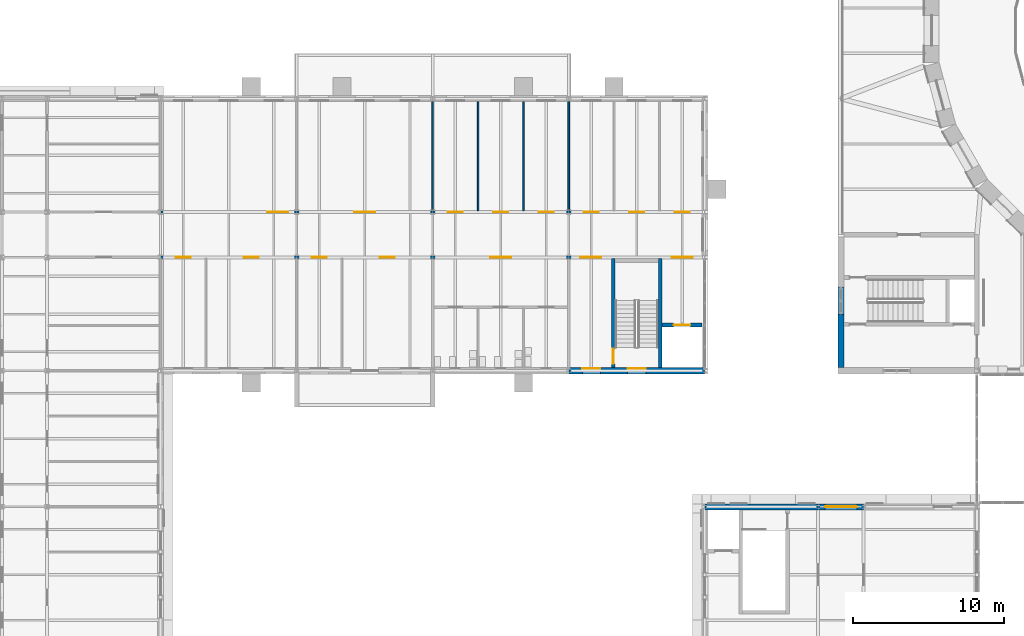
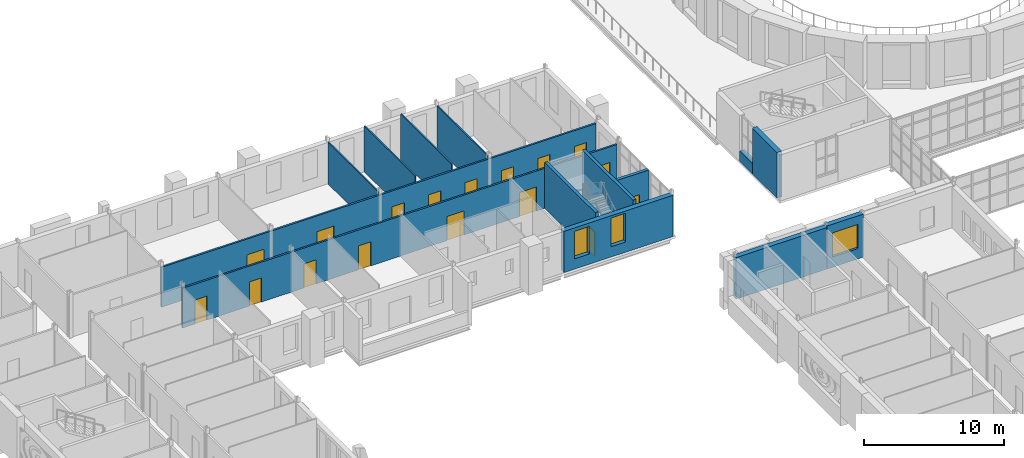
# One storey, part 112 of 154: 17 doors, 14 walls, 3 windows, 20 openings.
"""IFC4 building model written with IfcOpenShell, lengths in metres."""

import ifcopenshell
import ifcopenshell.guid

model = None  # the IFC model being written
_history = None  # IfcOwnerHistory: only IFC2X3 demands one
_inside = {}  # id of a spatial element -> (the spatial element, [elements in it])
_under = {}  # id of a project, library or spatial element -> (it, [spatial elements below it])
_declared = {}  # id of a project -> (the project, [libraries it declares])
_typed = {}  # id of a type object -> (the type object, [elements of that type])
_made_of = {}  # id of a material, layer set ... -> (it, [elements and type objects made of it])


def new_model(schema):
    """Start an empty IFC model of exactly this schema.

    Asked for "IFC4X3", IfcOpenShell would pick the latest addendum, in which some entities
    have other attributes; the version numbers below select the first issue.
    IFC2X3 requires an IfcOwnerHistory on every rooted entity: one is made here for all.
    """
    global model, _history
    if schema == "IFC4X3":
        model = ifcopenshell.file(schema_version=(4, 3, 0, 0))
    else:
        model = ifcopenshell.file(schema=schema)
    _inside.clear()
    _under.clear()
    _declared.clear()
    _typed.clear()
    _made_of.clear()
    _history = None
    if model.schema == "IFC2X3":
        org = make("IfcOrganization", Name="unknown")
        user = make(
            "IfcPersonAndOrganization",
            ThePerson=make("IfcPerson", FamilyName="unknown"),
            TheOrganization=org,
        )
        app = make(
            "IfcApplication",
            ApplicationDeveloper=org,
            Version="unknown",
            ApplicationFullName="unknown",
            ApplicationIdentifier="unknown",
        )
        _history = make(
            "IfcOwnerHistory",
            OwningUser=user,
            OwningApplication=app,
            ChangeAction="ADDED",
            CreationDate=0,
        )
    return model


def make(cls, **values):
    """One entity of the class cls with the attributes given. An attribute that is None is left unset."""
    return model.create_entity(
        cls, **{name: value for name, value in values.items() if value is not None}
    )


def rooted(cls, **values):
    """An entity with a GlobalId (a new one), such as an element, a storey or a relation."""
    return make(cls, GlobalId=ifcopenshell.guid.new(), OwnerHistory=_history, **values)


def si_unit(unit_type, name, prefix=None):
    """IfcSIUnit, for example si_unit("LENGTHUNIT", "METRE", prefix="MILLI")."""
    return make("IfcSIUnit", UnitType=unit_type, Prefix=prefix, Name=name)


def assignment(units):
    """IfcUnitAssignment: the units of a project."""
    return None if units is None else make("IfcUnitAssignment", Units=units)


def point(xyz):
    """IfcCartesianPoint."""
    return None if xyz is None else make("IfcCartesianPoint", Coordinates=xyz)


def direction(xyz):
    """IfcDirection."""
    return None if xyz is None else make("IfcDirection", DirectionRatios=xyz)


def frame(location, z_axis=None, x_axis=None):
    """IfcAxis2Placement3D, a coordinate frame: its origin and axes. An axis left out is left unset."""
    return make(
        "IfcAxis2Placement3D",
        Location=point(location),
        Axis=direction(z_axis),
        RefDirection=direction(x_axis),
    )


def frame_2d(location, x_axis=None):
    """IfcAxis2Placement2D, a coordinate frame in the plane: its origin and x axis."""
    return make(
        "IfcAxis2Placement2D", Location=point(location), RefDirection=direction(x_axis)
    )


def origin():
    """The frame at (0, 0, 0) with its axes left unset."""
    return frame((0.0, 0.0, 0.0))


def place(relative_to, where):
    """IfcLocalPlacement: puts the frame where relative to a parent placement (None: the world)."""
    return make(
        "IfcLocalPlacement", PlacementRelTo=relative_to, RelativePlacement=where
    )


def context(
    kind, dimensions, precision=None, world=None, true_north=None, identifier=None
):
    """IfcGeometricRepresentationContext, for example the 3D "Model" context."""
    return make(
        "IfcGeometricRepresentationContext",
        ContextIdentifier=identifier,
        ContextType=kind,
        CoordinateSpaceDimension=dimensions,
        Precision=precision,
        WorldCoordinateSystem=world,
        TrueNorth=true_north,
    )


def subcontext(parent, identifier, kind, view, scale=None):
    """IfcGeometricRepresentationSubContext, for example "Body" below "Model"."""
    return make(
        "IfcGeometricRepresentationSubContext",
        ContextIdentifier=identifier,
        ContextType=kind,
        ParentContext=parent,
        TargetScale=scale,
        TargetView=view,
    )


def project(units=None, contexts=None):
    """IfcProject with its units and contexts."""
    return rooted(
        "IfcProject",
        Name="project",
        RepresentationContexts=contexts,
        UnitsInContext=assignment(units),
    )


def spatial(cls, under=None, at=None, **own):
    """A site, building, storey or space (cls), placed at a placement, below another one or the project."""
    s = rooted(cls, ObjectPlacement=at, **own)
    if under is not None:
        _under.setdefault(under.id(), (under, []))[1].append(s)
    return s


def profile(cls, at=None, kind="AREA", **sizes):
    """A parametric profile (cls). Its sizes go by their IFC names, for example OverallWidth=200.0."""
    return make(cls, ProfileType=kind, Position=at, **sizes)


def rectangle(**sizes):
    """IfcRectangleProfileDef."""
    return profile("IfcRectangleProfileDef", **sizes)


def extrude(swept, where, along, depth):
    """IfcExtrudedAreaSolid: the profile swept, set in the frame where, extruded along a direction by depth."""
    return make(
        "IfcExtrudedAreaSolid",
        SweptArea=swept,
        Position=where,
        ExtrudedDirection=direction(along),
        Depth=depth,
    )


def shape(context_of_items, identifier, shape_type, items):
    """IfcShapeRepresentation: the items that make up one representation, for example the "Body"."""
    return make(
        "IfcShapeRepresentation",
        ContextOfItems=context_of_items,
        RepresentationIdentifier=identifier,
        RepresentationType=shape_type,
        Items=items,
    )


def material(Name=None, Category=None):
    """IfcMaterial."""
    return make("IfcMaterial", Name=Name, Category=Category)


def layer(
    of_material, thickness, ventilated=None, Name=None, Category=None, Priority=None
):
    """IfcMaterialLayer: one layer of a wall or slab, of a material (None: an air gap)."""
    return make(
        "IfcMaterialLayer",
        Material=of_material,
        LayerThickness=thickness,
        IsVentilated=ventilated,
        Name=Name,
        Category=Category,
        Priority=Priority,
    )


def layer_set(layers, Name=None):
    """IfcMaterialLayerSet."""
    return make("IfcMaterialLayerSet", MaterialLayers=layers, LayerSetName=Name)


def made_of(thing, what):
    """Note that an element or type object is made of a material, layer set ...; save() writes the relation."""
    if what is not None:
        _made_of.setdefault(what.id(), (what, []))[1].append(thing)
    return thing


def type_object(cls, material=None, **own):
    """A type object (cls), such as IfcWallType, which elements share."""
    return made_of(rooted(cls, **own), material)


def element(
    cls,
    number,
    at=None,
    inside=None,
    cuts=None,
    type_object=None,
    material=None,
    context=None,
    identifier="Body",
    shape_type=None,
    held_by="IfcProductDefinitionShape",
    body=None,
    shapes=None,
    **own,
):
    """One element of the class cls, such as IfcWall. Its Tag is "e" and its number.

    at: its placement. inside: the storey or other place that contains it. cuts: it is an
    opening in that element (IfcRelVoidsElement). A single representation is given by context,
    identifier, shape_type and body (its items); several are given by shapes. held_by: the class
    of the entity that holds the representations. save() writes the other relations.
    """
    e = rooted(cls, Tag="e%d" % number, ObjectPlacement=at, **own)
    if body is not None:
        shapes = [shape(context, identifier, shape_type, body)]
    if shapes is not None:
        e.Representation = make(held_by, Representations=shapes)
    if inside is not None:
        _inside.setdefault(inside.id(), (inside, []))[1].append(e)
    if cuts is not None:
        rooted(
            "IfcRelVoidsElement", RelatingBuildingElement=cuts, RelatedOpeningElement=e
        )
    if type_object is not None:
        _typed.setdefault(type_object.id(), (type_object, []))[1].append(e)
    return made_of(e, material)


def fill(opening, filler):
    """IfcRelFillsElement: the door or window that sits in an opening."""
    return rooted(
        "IfcRelFillsElement",
        RelatingOpeningElement=opening,
        RelatedBuildingElement=filler,
    )


def aggregate(whole, parts):
    """IfcRelAggregates: a whole, such as a stair, and the parts it consists of."""
    return rooted("IfcRelAggregates", RelatingObject=whole, RelatedObjects=parts)


def save(model, path):
    """Write the relations noted so far, then the file.

    IfcRelAggregates (storeys below a building ...), IfcRelContainedInSpatialStructure (elements
    in a storey), IfcRelDefinesByType, IfcRelAssociatesMaterial and IfcRelDeclares: one each for
    every whole, place, type object, material and project.
    """
    for whole, parts in _under.values():
        aggregate(whole, parts)
    for where, things in _inside.values():
        rooted(
            "IfcRelContainedInSpatialStructure",
            RelatedElements=things,
            RelatingStructure=where,
        )
    for kind, things in _typed.values():
        rooted("IfcRelDefinesByType", RelatedObjects=things, RelatingType=kind)
    for what, things in _made_of.values():
        rooted("IfcRelAssociatesMaterial", RelatedObjects=things, RelatingMaterial=what)
    for by, libraries in _declared.values():
        rooted("IfcRelDeclares", RelatingContext=by, RelatedDefinitions=libraries)
    model.write(path)


model = new_model("IFC4")

# Units and contexts
model_context = context("Model", 3, precision=1e-05, world=origin(), true_north=direction((0.0, 1.0)))
body_context = subcontext(model_context, "Body", "Model", "MODEL_VIEW")
ifc_project = project(units=[si_unit("LENGTHUNIT", "METRE"), si_unit("AREAUNIT", "SQUARE_METRE"), si_unit("VOLUMEUNIT", "CUBIC_METRE"), si_unit("PLANEANGLEUNIT", "RADIAN"), si_unit("MASSUNIT", "GRAM", prefix="KILO")], contexts=[model_context])

# Site, building, storey
site_placement = place(None, origin())
site = spatial("IfcSite", under=ifc_project, at=site_placement, CompositionType="ELEMENT")
building_placement = place(site_placement, origin())
building = spatial("IfcBuilding", under=site, at=building_placement, Name="Golden Quay Civic Hall", CompositionType="ELEMENT")
storey_placement = place(building_placement, frame((0.0, 0.0, 14.39990234375)))
storey = spatial("IfcBuildingStorey", under=building, at=storey_placement, Name="L03", CompositionType="ELEMENT", Elevation=14.39990234375)

# Wall, openings, windows
ifc_material_1 = material(Name="Brick, dark clay facing", Category="masonry")
ifc_layer_1 = layer(ifc_material_1, 0.39990234375)
ifc_layer_set_1 = layer_set([ifc_layer_1], Name="Brick external wall 400 fire EI 60")
wall_type_1 = type_object("IfcWallType", Name="Brick external wall 400 fire EI 60", PredefinedType="STANDARD", material=ifc_layer_set_1)
wall_1_placement = place(storey_placement, frame((53.9912109375, 63.0, 0.0), z_axis=(0.0, 0.0, 1.0), x_axis=(-1.0, 0.0, 0.0)))
wall_1 = element("IfcWall", 1, at=wall_1_placement, inside=storey, type_object=wall_type_1, Name="Brick external wall 400 fire EI 60 L03 1", PredefinedType="STANDARD", context=body_context, shape_type="SweptSolid", body=[
    extrude(rectangle(XDim=8.982421875, YDim=0.39990234375, at=frame_2d((4.4912109375, 0.0))), origin(), (0.0, 0.0, 1.0), 3.60009765625),
])
opening_1_placement = place(wall_1_placement, frame((6.891357421875, 0.0, 0.89990234375)))
opening_1 = element("IfcOpeningElement", 2, at=opening_1_placement, cuts=wall_1, Name="Opening WN7", PredefinedType="OPENING", context=body_context, shape_type="SweptSolid", body=[
    extrude(rectangle(XDim=1.199951171875, YDim=2.39990234375, at=frame_2d((0.60009765625, 1.199951171875))), frame((0.0, 0.2099609375, 0.0), z_axis=(0.0, -1.0, 0.0), x_axis=(1.0, 0.0, 0.0)), (0.0, 0.0, 1.0), 0.419921875),
])
opening_2_placement = place(wall_1_placement, frame((3.891357421875, 0.0, 0.89990234375)))
opening_2 = element("IfcOpeningElement", 3, at=opening_2_placement, cuts=wall_1, Name="Opening WN14", PredefinedType="OPENING", context=body_context, shape_type="SweptSolid", body=[
    extrude(rectangle(XDim=1.199951171875, YDim=2.5, at=frame_2d((0.60009765625, 1.25))), frame((0.0, 0.2099609375, 0.0), z_axis=(0.0, -1.0, 0.0), x_axis=(1.0, 0.0, 0.0)), (0.0, 0.0, 1.0), 0.419921875),
])
ifc_material_2 = material(Name="Aluminium frame, double glazed", Category="aluminium")
window_type_1 = type_object("IfcWindowType", Name="Stair light window 1200 x 2500", PartitioningType="SINGLE_PANEL", PredefinedType="WINDOW", material=ifc_material_2)
window_1_placement = place(opening_2_placement, origin())
window_1 = element("IfcWindow", 4, at=window_1_placement, inside=storey, type_object=window_type_1, Name="Stair light window 1200 x 2500 L03 1", OverallHeight=2.5, OverallWidth=1.199951171875, PartitioningType="SINGLE_PANEL", PredefinedType="WINDOW", context=body_context, shape_type="SweptSolid", body=[
    extrude(rectangle(XDim=1.199951171875, YDim=2.5, at=frame_2d((0.60009765625, 1.25))), frame((0.0, -0.119873046875, 0.0), z_axis=(0.0, -1.0, 0.0), x_axis=(1.0, 0.0, 0.0)), (0.0, 0.0, 1.0), 0.06005859375),
])
fill(opening_2, window_1)
ifc_material_3 = material(Name="Aluminium frame, double glazed", Category="aluminium")
window_type_2 = type_object("IfcWindowType", Name="Window 1200 x 2400", PartitioningType="SINGLE_PANEL", PredefinedType="WINDOW", material=ifc_material_3)
window_2_placement = place(opening_1_placement, origin())
window_2 = element("IfcWindow", 5, at=window_2_placement, inside=storey, type_object=window_type_2, Name="Window 1200 x 2400 L03 23", OverallHeight=2.39990234375, OverallWidth=1.199951171875, PartitioningType="SINGLE_PANEL", PredefinedType="WINDOW", context=body_context, shape_type="SweptSolid", body=[
    extrude(rectangle(XDim=1.199951171875, YDim=2.39990234375, at=frame_2d((0.60009765625, 1.199951171875))), frame((0.0, -0.119873046875, 0.0), z_axis=(0.0, -1.0, 0.0), x_axis=(1.0, 0.0, 0.0)), (0.0, 0.0, 1.0), 0.06005859375),
])
fill(opening_1, window_2)

# Wall, opening, door
ifc_material_4 = material(Name="Concrete C40/50", Category="concrete")
ifc_layer_2 = layer(ifc_material_4, 0.25)
ifc_layer_set_2 = layer_set([ifc_layer_2], Name="Concrete core wall 250, Concrete C40/50")
wall_type_2 = type_object("IfcWallType", Name="Concrete core wall 250", PredefinedType="SHEAR", material=ifc_layer_set_2)
wall_2_placement = place(storey_placement, frame((47.949951171875, 63.199951171875, 0.0), z_axis=(0.0, 0.0, 1.0), x_axis=(0.0, 1.0, 0.0)))
wall_2 = element("IfcWall", 6, at=wall_2_placement, inside=storey, type_object=wall_type_2, Name="Core wall NW-E-W1", PredefinedType="SHEAR", context=body_context, shape_type="SweptSolid", body=[
    extrude(rectangle(XDim=7.22509765625, YDim=0.25, at=frame_2d((3.612548828125, 0.0))), origin(), (0.0, 0.0, 1.0), 4.0),
])
opening_3_placement = place(wall_2_placement, frame((0.25, 0.0, 0.0)))
opening_3 = element("IfcOpeningElement", 7, at=opening_3_placement, cuts=wall_2, Name="Opening L03-D071", PredefinedType="OPENING", context=body_context, shape_type="SweptSolid", body=[
    extrude(rectangle(XDim=1.0, YDim=2.10009765625, at=frame_2d((0.5, 1.050048828125))), frame((0.0, 0.135009765625, 0.0), z_axis=(0.0, -1.0, 0.0), x_axis=(1.0, 0.0, 0.0)), (0.0, 0.0, 1.0), 0.27001953125),
])
ifc_material_5 = material(Name="Steel", Category="steel")
door_type_1 = type_object("IfcDoorType", Name="Steel fire door FD60 1000 x 2100", OperationType="SINGLE_SWING_LEFT", PredefinedType="DOOR", material=ifc_material_5)
door_1_placement = place(opening_3_placement, frame((1.0, 0.0, 0.0), z_axis=(0.0, 0.0, 1.0), x_axis=(-1.0, 0.0, 0.0)))
door_1 = element("IfcDoor", 8, at=door_1_placement, inside=storey, type_object=door_type_1, Name="Door L03-D071", OperationType="SINGLE_SWING_RIGHT", OverallHeight=2.10009765625, OverallWidth=1.0, PredefinedType="DOOR", context=body_context, shape_type="SweptSolid", body=[
    extrude(rectangle(XDim=1.0, YDim=2.10009765625, at=frame_2d((0.5, 1.050048828125))), frame((0.0, 0.025146484375, 0.0), z_axis=(0.0, -1.0, 0.0), x_axis=(1.0, 0.0, 0.0)), (0.0, 0.0, 1.0), 0.050048828125),
])
fill(opening_3, door_1)

# Wall
wall_3_placement = place(storey_placement, frame((51.050048828125, 63.199951171875, 0.0), z_axis=(0.0, 0.0, 1.0), x_axis=(0.0, 1.0, 0.0)))
element("IfcWall", 9, at=wall_3_placement, inside=storey, type_object=wall_type_2, Name="Core wall NW-E-W2", PredefinedType="SHEAR", context=body_context, shape_type="SweptSolid", body=[
    extrude(rectangle(XDim=7.22509765625, YDim=0.25, at=frame_2d((3.612548828125, 0.0))), origin(), (0.0, 0.0, 1.0), 4.0),
])

# Wall, opening, door
wall_4_placement = place(storey_placement, frame((51.175048828125, 66.02490234375, 0.0), z_axis=(0.0, 0.0, 1.0), x_axis=(1.0, 0.0, 0.0)))
wall_4 = element("IfcWall", 10, at=wall_4_placement, inside=storey, type_object=wall_type_2, Name="Core wall NW-E-W4", PredefinedType="SHEAR", context=body_context, shape_type="SweptSolid", body=[
    extrude(rectangle(XDim=2.625, YDim=0.25, at=frame_2d((1.3125, 0.0))), origin(), (0.0, 0.0, 1.0), 4.0),
])
opening_4_placement = place(wall_4_placement, frame((0.762451171875, 0.0, 0.0)))
opening_4 = element("IfcOpeningElement", 11, at=opening_4_placement, cuts=wall_4, Name="Opening L03-D074", PredefinedType="OPENING", context=body_context, shape_type="SweptSolid", body=[
    extrude(rectangle(XDim=1.10009765625, YDim=2.10009765625, at=frame_2d((0.550048828125, 1.050048828125))), frame((0.0, 0.135009765625, 0.0), z_axis=(0.0, -1.0, 0.0), x_axis=(1.0, 0.0, 0.0)), (0.0, 0.0, 1.0), 0.27001953125),
])
ifc_material_6 = material(Name="Steel", Category="steel")
door_type_2 = type_object("IfcDoorType", Name="Lift landing door 1100 x 2100", OperationType="SLIDING_TO_LEFT", PredefinedType="DOOR", material=ifc_material_6)
door_2_placement = place(opening_4_placement, origin())
door_2 = element("IfcDoor", 12, at=door_2_placement, inside=storey, type_object=door_type_2, Name="Lift landing door L03-D074 NW-E", OperationType="SLIDING_TO_LEFT", OverallHeight=2.10009765625, OverallWidth=1.10009765625, PredefinedType="DOOR", context=body_context, shape_type="SweptSolid", body=[
    extrude(rectangle(XDim=1.10009765625, YDim=2.10009765625, at=frame_2d((0.550048828125, 1.050048828125))), frame((0.0, 0.02490234375, 0.0), z_axis=(0.0, -1.0, 0.0), x_axis=(1.0, 0.0, 0.0)), (0.0, 0.0, 1.0), 0.050048828125),
])
fill(opening_4, door_2)

# Walls
ifc_material_7 = material(Name="Plasterboard on steel studs", Category="steel")
ifc_layer_3 = layer(ifc_material_7, 0.10009765625)
ifc_layer_set_3 = layer_set([ifc_layer_3], Name="Partition 100 stud")
wall_type_3 = type_object("IfcWallType", Name="Partition 100 stud", PredefinedType="PARTITIONING", material=ifc_layer_set_3)
wall_5_placement = place(storey_placement, frame((36.0, 73.574951171875, 0.0), z_axis=(0.0, 0.0, 1.0), x_axis=(0.0, 1.0, 0.0)))
element("IfcWall", 13, at=wall_5_placement, inside=storey, type_object=wall_type_3, Name="Partition L03-005", PredefinedType="PARTITIONING", context=body_context, shape_type="SweptSolid", body=[
    extrude(rectangle(XDim=7.22509765625, YDim=0.10009765625, at=frame_2d((3.612548828125, 0.0))), origin(), (0.0, 0.0, 1.0), 3.650146484375),
])
for number, where, z_axis, x_axis, name in (
    (14, (39.0, 73.574951171875, 0.0), (0.0, 0.0, 1.0), (0.0, 1.0, 0.0), "Partition L03-006"),
    (15, (42.0, 73.574951171875, 0.0), (0.0, 0.0, 1.0), (0.0, 1.0, 0.0), "Partition L03-007"),
):
    element("IfcWall", number, at=place(storey_placement, frame(where, z_axis=z_axis, x_axis=x_axis)), inside=storey, type_object=wall_type_3, Name=name, PredefinedType="PARTITIONING", context=body_context, shape_type="SweptSolid", body=[
        extrude(rectangle(XDim=7.22509765625, YDim=0.10009765625, at=frame_2d((3.612548828125, 0.0))), origin(), (0.0, 0.0, 1.0), 4.0),
    ])
wall_6_placement = place(storey_placement, frame((45.0, 73.574951171875, 0.0), z_axis=(0.0, 0.0, 1.0), x_axis=(0.0, 1.0, 0.0)))
element("IfcWall", 16, at=wall_6_placement, inside=storey, type_object=wall_type_3, Name="Partition L03-008", PredefinedType="PARTITIONING", context=body_context, shape_type="SweptSolid", body=[
    extrude(rectangle(XDim=7.22509765625, YDim=0.10009765625, at=frame_2d((3.612548828125, 0.0))), origin(), (0.0, 0.0, 1.0), 3.650146484375),
])

# Wall, openings, doors
ifc_material_8 = material(Name="Plasterboard on steel studs", Category="steel")
ifc_layer_4 = layer(ifc_material_8, 0.14990234375)
ifc_layer_set_4 = layer_set([ifc_layer_4], Name="Partition 150 stud fire EI 60")
wall_type_4 = type_object("IfcWallType", Name="Partition 150 stud fire EI 60", PredefinedType="PARTITIONING", material=ifc_layer_set_4)
wall_7_placement = place(storey_placement, frame((18.0, 70.5, 0.0), z_axis=(0.0, 0.0, 1.0), x_axis=(1.0, 0.0, 0.0)))
wall_7 = element("IfcWall", 17, at=wall_7_placement, inside=storey, type_object=wall_type_4, Name="Partition L03-012", PredefinedType="PARTITIONING", context=body_context, shape_type="SweptSolid", body=[
    extrude(rectangle(XDim=35.800048828125, YDim=0.14990234375, at=frame_2d((17.89990234375, 0.0))), origin(), (0.0, 0.0, 1.0), 3.47998046875),
])
opening_5_placement = place(wall_7_placement, frame((1.0, 0.0, 0.0)))
opening_5 = element("IfcOpeningElement", 18, at=opening_5_placement, cuts=wall_7, Name="Opening L03-D055", PredefinedType="OPENING", context=body_context, shape_type="SweptSolid", body=[
    extrude(rectangle(XDim=1.0, YDim=2.10009765625, at=frame_2d((0.5, 1.050048828125))), frame((0.0, 0.0849609375, 0.0), z_axis=(0.0, -1.0, 0.0), x_axis=(1.0, 0.0, 0.0)), (0.0, 0.0, 1.0), 0.169921875),
])
opening_6_placement = place(wall_7_placement, frame((5.5, 0.0, 0.0)))
opening_6 = element("IfcOpeningElement", 19, at=opening_6_placement, cuts=wall_7, Name="Opening L03-D056", PredefinedType="OPENING", context=body_context, shape_type="SweptSolid", body=[
    extrude(rectangle(XDim=1.0, YDim=2.10009765625, at=frame_2d((0.5, 1.050048828125))), frame((0.0, 0.0849609375, 0.0), z_axis=(0.0, -1.0, 0.0), x_axis=(1.0, 0.0, 0.0)), (0.0, 0.0, 1.0), 0.169921875),
])
opening_7_placement = place(wall_7_placement, frame((10.0, 0.0, 0.0)))
opening_7 = element("IfcOpeningElement", 20, at=opening_7_placement, cuts=wall_7, Name="Opening L03-D057", PredefinedType="OPENING", context=body_context, shape_type="SweptSolid", body=[
    extrude(rectangle(XDim=1.0, YDim=2.10009765625, at=frame_2d((0.5, 1.050048828125))), frame((0.0, 0.0849609375, 0.0), z_axis=(0.0, -1.0, 0.0), x_axis=(1.0, 0.0, 0.0)), (0.0, 0.0, 1.0), 0.169921875),
])
opening_8_placement = place(wall_7_placement, frame((14.5, 0.0, 0.0)))
opening_8 = element("IfcOpeningElement", 21, at=opening_8_placement, cuts=wall_7, Name="Opening L03-D058", PredefinedType="OPENING", context=body_context, shape_type="SweptSolid", body=[
    extrude(rectangle(XDim=1.0, YDim=2.10009765625, at=frame_2d((0.5, 1.050048828125))), frame((0.0, 0.0849609375, 0.0), z_axis=(0.0, -1.0, 0.0), x_axis=(1.0, 0.0, 0.0)), (0.0, 0.0, 1.0), 0.169921875),
])
opening_9_placement = place(wall_7_placement, frame((21.800048828125, 0.0, 0.0)))
opening_9 = element("IfcOpeningElement", 22, at=opening_9_placement, cuts=wall_7, Name="Opening L03-D067", PredefinedType="OPENING", context=body_context, shape_type="SweptSolid", body=[
    extrude(rectangle(XDim=1.39990234375, YDim=2.10009765625, at=frame_2d((0.699951171875, 1.050048828125))), frame((0.0, 0.0849609375, 0.0), z_axis=(0.0, -1.0, 0.0), x_axis=(1.0, 0.0, 0.0)), (0.0, 0.0, 1.0), 0.169921875),
])
opening_10_placement = place(wall_7_placement, frame((27.75, 0.0, 0.0)))
opening_10 = element("IfcOpeningElement", 23, at=opening_10_placement, cuts=wall_7, Name="Opening L03-D072", PredefinedType="OPENING", context=body_context, shape_type="SweptSolid", body=[
    extrude(rectangle(XDim=1.39990234375, YDim=2.10009765625, at=frame_2d((0.699951171875, 1.050048828125))), frame((0.0, 0.0849609375, 0.0), z_axis=(0.0, -1.0, 0.0), x_axis=(1.0, 0.0, 0.0)), (0.0, 0.0, 1.0), 0.169921875),
])
opening_11_placement = place(wall_7_placement, frame((33.800048828125, 0.0, 0.0)))
opening_11 = element("IfcOpeningElement", 24, at=opening_11_placement, cuts=wall_7, Name="Opening L03-D073", PredefinedType="OPENING", context=body_context, shape_type="SweptSolid", body=[
    extrude(rectangle(XDim=1.39990234375, YDim=2.10009765625, at=frame_2d((0.699951171875, 1.050048828125))), frame((0.0, 0.0849609375, 0.0), z_axis=(0.0, -1.0, 0.0), x_axis=(1.0, 0.0, 0.0)), (0.0, 0.0, 1.0), 0.169921875),
])
ifc_material_9 = material(Name="Steel", Category="steel")
door_type_3 = type_object("IfcDoorType", Name="Steel double fire door FD30S 1400 x 2100", OperationType="DOUBLE_DOOR_SINGLE_SWING", PredefinedType="DOOR", material=ifc_material_9)
door_3_placement = place(opening_9_placement, frame((1.39990234375, 0.0, 0.0), z_axis=(0.0, 0.0, 1.0), x_axis=(-1.0, 0.0, 0.0)))
door_3 = element("IfcDoor", 25, at=door_3_placement, inside=storey, type_object=door_type_3, Name="Door L03-D067", OperationType="DOUBLE_DOOR_SINGLE_SWING", OverallHeight=2.10009765625, OverallWidth=1.39990234375, PredefinedType="DOOR", context=body_context, shape_type="SweptSolid", body=[
    extrude(rectangle(XDim=1.39990234375, YDim=2.10009765625, at=frame_2d((0.699951171875, 1.050048828125))), frame((0.0, 0.025146484375, 0.0), z_axis=(0.0, -1.0, 0.0), x_axis=(1.0, 0.0, 0.0)), (0.0, 0.0, 1.0), 0.050048828125),
])
fill(opening_9, door_3)
door_4_placement = place(opening_10_placement, origin())
door_4 = element("IfcDoor", 26, at=door_4_placement, inside=storey, type_object=door_type_3, Name="Door L03-D072", OperationType="DOUBLE_DOOR_SINGLE_SWING", OverallHeight=2.10009765625, OverallWidth=1.39990234375, PredefinedType="DOOR", context=body_context, shape_type="SweptSolid", body=[
    extrude(rectangle(XDim=1.39990234375, YDim=2.10009765625, at=frame_2d((0.699951171875, 1.050048828125))), frame((0.0, 0.02490234375, 0.0), z_axis=(0.0, -1.0, 0.0), x_axis=(1.0, 0.0, 0.0)), (0.0, 0.0, 1.0), 0.050048828125),
])
fill(opening_10, door_4)
door_5_placement = place(opening_11_placement, origin())
door_5 = element("IfcDoor", 27, at=door_5_placement, inside=storey, type_object=door_type_3, Name="Door L03-D073", OperationType="DOUBLE_DOOR_SINGLE_SWING", OverallHeight=2.10009765625, OverallWidth=1.39990234375, PredefinedType="DOOR", context=body_context, shape_type="SweptSolid", body=[
    extrude(rectangle(XDim=1.39990234375, YDim=2.10009765625, at=frame_2d((0.699951171875, 1.050048828125))), frame((0.0, 0.02490234375, 0.0), z_axis=(0.0, -1.0, 0.0), x_axis=(1.0, 0.0, 0.0)), (0.0, 0.0, 1.0), 0.050048828125),
])
fill(opening_11, door_5)
ifc_material_10 = material(Name="Steel", Category="steel")
door_type_4 = type_object("IfcDoorType", Name="Steel fire door FD30S 1000 x 2100", OperationType="SINGLE_SWING_LEFT", PredefinedType="DOOR", material=ifc_material_10)
door_6_placement = place(opening_5_placement, frame((1.0, 0.0, 0.0), z_axis=(0.0, 0.0, 1.0), x_axis=(-1.0, 0.0, 0.0)))
door_6 = element("IfcDoor", 28, at=door_6_placement, inside=storey, type_object=door_type_4, Name="Door L03-D055", OperationType="SINGLE_SWING_RIGHT", OverallHeight=2.10009765625, OverallWidth=1.0, PredefinedType="DOOR", context=body_context, shape_type="SweptSolid", body=[
    extrude(rectangle(XDim=1.0, YDim=2.10009765625, at=frame_2d((0.5, 1.050048828125))), frame((0.0, 0.025146484375, 0.0), z_axis=(0.0, -1.0, 0.0), x_axis=(1.0, 0.0, 0.0)), (0.0, 0.0, 1.0), 0.050048828125),
])
fill(opening_5, door_6)
door_7_placement = place(opening_6_placement, frame((1.0, 0.0, 0.0), z_axis=(0.0, 0.0, 1.0), x_axis=(-1.0, 0.0, 0.0)))
door_7 = element("IfcDoor", 29, at=door_7_placement, inside=storey, type_object=door_type_4, Name="Door L03-D056", OperationType="SINGLE_SWING_RIGHT", OverallHeight=2.10009765625, OverallWidth=1.0, PredefinedType="DOOR", context=body_context, shape_type="SweptSolid", body=[
    extrude(rectangle(XDim=1.0, YDim=2.10009765625, at=frame_2d((0.5, 1.050048828125))), frame((0.0, 0.025146484375, 0.0), z_axis=(0.0, -1.0, 0.0), x_axis=(1.0, 0.0, 0.0)), (0.0, 0.0, 1.0), 0.050048828125),
])
fill(opening_6, door_7)
door_8_placement = place(opening_7_placement, frame((1.0, 0.0, 0.0), z_axis=(0.0, 0.0, 1.0), x_axis=(-1.0, 0.0, 0.0)))
door_8 = element("IfcDoor", 30, at=door_8_placement, inside=storey, type_object=door_type_4, Name="Door L03-D057", OperationType="SINGLE_SWING_RIGHT", OverallHeight=2.10009765625, OverallWidth=1.0, PredefinedType="DOOR", context=body_context, shape_type="SweptSolid", body=[
    extrude(rectangle(XDim=1.0, YDim=2.10009765625, at=frame_2d((0.5, 1.050048828125))), frame((0.0, 0.025146484375, 0.0), z_axis=(0.0, -1.0, 0.0), x_axis=(1.0, 0.0, 0.0)), (0.0, 0.0, 1.0), 0.050048828125),
])
fill(opening_7, door_8)
door_9_placement = place(opening_8_placement, frame((1.0, 0.0, 0.0), z_axis=(0.0, 0.0, 1.0), x_axis=(-1.0, 0.0, 0.0)))
door_9 = element("IfcDoor", 31, at=door_9_placement, inside=storey, type_object=door_type_4, Name="Door L03-D058", OperationType="SINGLE_SWING_RIGHT", OverallHeight=2.10009765625, OverallWidth=1.0, PredefinedType="DOOR", context=body_context, shape_type="SweptSolid", body=[
    extrude(rectangle(XDim=1.0, YDim=2.10009765625, at=frame_2d((0.5, 1.050048828125))), frame((0.0, 0.025146484375, 0.0), z_axis=(0.0, -1.0, 0.0), x_axis=(1.0, 0.0, 0.0)), (0.0, 0.0, 1.0), 0.050048828125),
])
fill(opening_8, door_9)

wall_8_placement = place(storey_placement, frame((18.0, 73.5, 0.0), z_axis=(0.0, 0.0, 1.0), x_axis=(1.0, 0.0, 0.0)))
wall_8 = element("IfcWall", 32, at=wall_8_placement, inside=storey, type_object=wall_type_4, Name="Partition L03-013", PredefinedType="PARTITIONING", context=body_context, shape_type="SweptSolid", body=[
    extrude(rectangle(XDim=35.800048828125, YDim=0.14990234375, at=frame_2d((17.89990234375, 0.0))), origin(), (0.0, 0.0, 1.0), 3.47998046875),
])
opening_12_placement = place(wall_8_placement, frame((7.050048828125, 0.0, 0.0)))
opening_12 = element("IfcOpeningElement", 33, at=opening_12_placement, cuts=wall_8, Name="Opening L03-D059", PredefinedType="OPENING", context=body_context, shape_type="SweptSolid", body=[
    extrude(rectangle(XDim=1.39990234375, YDim=2.10009765625, at=frame_2d((0.699951171875, 1.050048828125))), frame((0.0, 0.0849609375, 0.0), z_axis=(0.0, -1.0, 0.0), x_axis=(1.0, 0.0, 0.0)), (0.0, 0.0, 1.0), 0.169921875),
])
opening_13_placement = place(wall_8_placement, frame((12.800048828125, 0.0, 0.0)))
opening_13 = element("IfcOpeningElement", 34, at=opening_13_placement, cuts=wall_8, Name="Opening L03-D060", PredefinedType="OPENING", context=body_context, shape_type="SweptSolid", body=[
    extrude(rectangle(XDim=1.39990234375, YDim=2.10009765625, at=frame_2d((0.699951171875, 1.050048828125))), frame((0.0, 0.0849609375, 0.0), z_axis=(0.0, -1.0, 0.0), x_axis=(1.0, 0.0, 0.0)), (0.0, 0.0, 1.0), 0.169921875),
])
opening_14_placement = place(wall_8_placement, frame((19.0, 0.0, 0.0)))
opening_14 = element("IfcOpeningElement", 35, at=opening_14_placement, cuts=wall_8, Name="Opening L03-D061", PredefinedType="OPENING", context=body_context, shape_type="SweptSolid", body=[
    extrude(rectangle(XDim=1.0, YDim=2.10009765625, at=frame_2d((0.5, 1.050048828125))), frame((0.0, 0.0849609375, 0.0), z_axis=(0.0, -1.0, 0.0), x_axis=(1.0, 0.0, 0.0)), (0.0, 0.0, 1.0), 0.169921875),
])
opening_15_placement = place(wall_8_placement, frame((22.0, 0.0, 0.0)))
opening_15 = element("IfcOpeningElement", 36, at=opening_15_placement, cuts=wall_8, Name="Opening L03-D062", PredefinedType="OPENING", context=body_context, shape_type="SweptSolid", body=[
    extrude(rectangle(XDim=1.0, YDim=2.10009765625, at=frame_2d((0.5, 1.050048828125))), frame((0.0, 0.0849609375, 0.0), z_axis=(0.0, -1.0, 0.0), x_axis=(1.0, 0.0, 0.0)), (0.0, 0.0, 1.0), 0.169921875),
])
opening_16_placement = place(wall_8_placement, frame((25.0, 0.0, 0.0)))
opening_16 = element("IfcOpeningElement", 37, at=opening_16_placement, cuts=wall_8, Name="Opening L03-D063", PredefinedType="OPENING", context=body_context, shape_type="SweptSolid", body=[
    extrude(rectangle(XDim=1.0, YDim=2.10009765625, at=frame_2d((0.5, 1.050048828125))), frame((0.0, 0.0849609375, 0.0), z_axis=(0.0, -1.0, 0.0), x_axis=(1.0, 0.0, 0.0)), (0.0, 0.0, 1.0), 0.169921875),
])
opening_17_placement = place(wall_8_placement, frame((28.0, 0.0, 0.0)))
opening_17 = element("IfcOpeningElement", 38, at=opening_17_placement, cuts=wall_8, Name="Opening L03-D064", PredefinedType="OPENING", context=body_context, shape_type="SweptSolid", body=[
    extrude(rectangle(XDim=1.0, YDim=2.10009765625, at=frame_2d((0.5, 1.050048828125))), frame((0.0, 0.0849609375, 0.0), z_axis=(0.0, -1.0, 0.0), x_axis=(1.0, 0.0, 0.0)), (0.0, 0.0, 1.0), 0.169921875),
])
opening_18_placement = place(wall_8_placement, frame((31.0, 0.0, 0.0)))
opening_18 = element("IfcOpeningElement", 39, at=opening_18_placement, cuts=wall_8, Name="Opening L03-D065", PredefinedType="OPENING", context=body_context, shape_type="SweptSolid", body=[
    extrude(rectangle(XDim=1.0, YDim=2.10009765625, at=frame_2d((0.5, 1.050048828125))), frame((0.0, 0.0849609375, 0.0), z_axis=(0.0, -1.0, 0.0), x_axis=(1.0, 0.0, 0.0)), (0.0, 0.0, 1.0), 0.169921875),
])
opening_19_placement = place(wall_8_placement, frame((34.0, 0.0, 0.0)))
opening_19 = element("IfcOpeningElement", 40, at=opening_19_placement, cuts=wall_8, Name="Opening L03-D066", PredefinedType="OPENING", context=body_context, shape_type="SweptSolid", body=[
    extrude(rectangle(XDim=1.0, YDim=2.10009765625, at=frame_2d((0.5, 1.050048828125))), frame((0.0, 0.0849609375, 0.0), z_axis=(0.0, -1.0, 0.0), x_axis=(1.0, 0.0, 0.0)), (0.0, 0.0, 1.0), 0.169921875),
])
door_10_placement = place(opening_12_placement, origin())
door_10 = element("IfcDoor", 41, at=door_10_placement, inside=storey, type_object=door_type_3, Name="Door L03-D059", OperationType="DOUBLE_DOOR_SINGLE_SWING", OverallHeight=2.10009765625, OverallWidth=1.39990234375, PredefinedType="DOOR", context=body_context, shape_type="SweptSolid", body=[
    extrude(rectangle(XDim=1.39990234375, YDim=2.10009765625, at=frame_2d((0.699951171875, 1.050048828125))), frame((0.0, 0.02490234375, 0.0), z_axis=(0.0, -1.0, 0.0), x_axis=(1.0, 0.0, 0.0)), (0.0, 0.0, 1.0), 0.050048828125),
])
fill(opening_12, door_10)
door_11_placement = place(opening_13_placement, origin())
door_11 = element("IfcDoor", 42, at=door_11_placement, inside=storey, type_object=door_type_3, Name="Door L03-D060", OperationType="DOUBLE_DOOR_SINGLE_SWING", OverallHeight=2.10009765625, OverallWidth=1.39990234375, PredefinedType="DOOR", context=body_context, shape_type="SweptSolid", body=[
    extrude(rectangle(XDim=1.39990234375, YDim=2.10009765625, at=frame_2d((0.699951171875, 1.050048828125))), frame((0.0, 0.02490234375, 0.0), z_axis=(0.0, -1.0, 0.0), x_axis=(1.0, 0.0, 0.0)), (0.0, 0.0, 1.0), 0.050048828125),
])
fill(opening_13, door_11)
door_12_placement = place(opening_14_placement, origin())
door_12 = element("IfcDoor", 43, at=door_12_placement, inside=storey, type_object=door_type_4, Name="Door L03-D061", OperationType="SINGLE_SWING_LEFT", OverallHeight=2.10009765625, OverallWidth=1.0, PredefinedType="DOOR", context=body_context, shape_type="SweptSolid", body=[
    extrude(rectangle(XDim=1.0, YDim=2.10009765625, at=frame_2d((0.5, 1.050048828125))), frame((0.0, 0.02490234375, 0.0), z_axis=(0.0, -1.0, 0.0), x_axis=(1.0, 0.0, 0.0)), (0.0, 0.0, 1.0), 0.050048828125),
])
fill(opening_14, door_12)
door_13_placement = place(opening_15_placement, origin())
door_13 = element("IfcDoor", 44, at=door_13_placement, inside=storey, type_object=door_type_4, Name="Door L03-D062", OperationType="SINGLE_SWING_LEFT", OverallHeight=2.10009765625, OverallWidth=1.0, PredefinedType="DOOR", context=body_context, shape_type="SweptSolid", body=[
    extrude(rectangle(XDim=1.0, YDim=2.10009765625, at=frame_2d((0.5, 1.050048828125))), frame((0.0, 0.02490234375, 0.0), z_axis=(0.0, -1.0, 0.0), x_axis=(1.0, 0.0, 0.0)), (0.0, 0.0, 1.0), 0.050048828125),
])
fill(opening_15, door_13)
door_14_placement = place(opening_16_placement, origin())
door_14 = element("IfcDoor", 45, at=door_14_placement, inside=storey, type_object=door_type_4, Name="Door L03-D063", OperationType="SINGLE_SWING_LEFT", OverallHeight=2.10009765625, OverallWidth=1.0, PredefinedType="DOOR", context=body_context, shape_type="SweptSolid", body=[
    extrude(rectangle(XDim=1.0, YDim=2.10009765625, at=frame_2d((0.5, 1.050048828125))), frame((0.0, 0.02490234375, 0.0), z_axis=(0.0, -1.0, 0.0), x_axis=(1.0, 0.0, 0.0)), (0.0, 0.0, 1.0), 0.050048828125),
])
fill(opening_16, door_14)
door_15_placement = place(opening_17_placement, origin())
door_15 = element("IfcDoor", 46, at=door_15_placement, inside=storey, type_object=door_type_4, Name="Door L03-D064", OperationType="SINGLE_SWING_LEFT", OverallHeight=2.10009765625, OverallWidth=1.0, PredefinedType="DOOR", context=body_context, shape_type="SweptSolid", body=[
    extrude(rectangle(XDim=1.0, YDim=2.10009765625, at=frame_2d((0.5, 1.050048828125))), frame((0.0, 0.02490234375, 0.0), z_axis=(0.0, -1.0, 0.0), x_axis=(1.0, 0.0, 0.0)), (0.0, 0.0, 1.0), 0.050048828125),
])
fill(opening_17, door_15)
door_16_placement = place(opening_18_placement, origin())
door_16 = element("IfcDoor", 47, at=door_16_placement, inside=storey, type_object=door_type_4, Name="Door L03-D065", OperationType="SINGLE_SWING_LEFT", OverallHeight=2.10009765625, OverallWidth=1.0, PredefinedType="DOOR", context=body_context, shape_type="SweptSolid", body=[
    extrude(rectangle(XDim=1.0, YDim=2.10009765625, at=frame_2d((0.5, 1.050048828125))), frame((0.0, 0.02490234375, 0.0), z_axis=(0.0, -1.0, 0.0), x_axis=(1.0, 0.0, 0.0)), (0.0, 0.0, 1.0), 0.050048828125),
])
fill(opening_18, door_16)
door_17_placement = place(opening_19_placement, origin())
door_17 = element("IfcDoor", 48, at=door_17_placement, inside=storey, type_object=door_type_4, Name="Door L03-D066", OperationType="SINGLE_SWING_LEFT", OverallHeight=2.10009765625, OverallWidth=1.0, PredefinedType="DOOR", context=body_context, shape_type="SweptSolid", body=[
    extrude(rectangle(XDim=1.0, YDim=2.10009765625, at=frame_2d((0.5, 1.050048828125))), frame((0.0, 0.02490234375, 0.0), z_axis=(0.0, -1.0, 0.0), x_axis=(1.0, 0.0, 0.0)), (0.0, 0.0, 1.0), 0.050048828125),
])
fill(opening_19, door_17)

# Wall, opening, window
ifc_material_11 = material(Name="Clay block, rendered, cream")
ifc_layer_5 = layer(ifc_material_11, 0.39990234375)
ifc_layer_set_5 = layer_set([ifc_layer_5], Name="Rendered block external wall 400")
wall_type_5 = type_object("IfcWallType", Name="Rendered block external wall 400", PredefinedType="STANDARD", material=ifc_layer_set_5)
wall_9_placement = place(storey_placement, frame((61.50830078125, 54.0, 0.0), z_axis=(0.0, 0.0, 1.0), x_axis=(1.0, 0.0, 0.0)))
wall_9 = element("IfcWall", 49, at=wall_9_placement, inside=storey, type_object=wall_type_5, Name="Rendered block external wall 400 L03 25", PredefinedType="STANDARD", context=body_context, shape_type="SweptSolid", body=[
    extrude(rectangle(XDim=2.9833984375, YDim=0.39990234375, at=frame_2d((1.49169921875, 0.0))), origin(), (0.0, 0.0, 1.0), 3.75),
])
opening_20_placement = place(wall_9_placement, frame((0.441650390625, 0.0, 0.89990234375)))
opening_20 = element("IfcOpeningElement", 50, at=opening_20_placement, cuts=wall_9, Name="Opening WN2", PredefinedType="OPENING", context=body_context, shape_type="SweptSolid", body=[
    extrude(rectangle(XDim=2.10009765625, YDim=2.10009765625, at=frame_2d((1.050048828125, 1.050048828125))), frame((0.0, 0.2099609375, 0.0), z_axis=(0.0, -1.0, 0.0), x_axis=(1.0, 0.0, 0.0)), (0.0, 0.0, 1.0), 0.419921875),
])
ifc_material_12 = material(Name="Aluminium frame, double glazed", Category="aluminium")
window_type_3 = type_object("IfcWindowType", Name="Corridor end window 2100 x 2100", PartitioningType="SINGLE_PANEL", PredefinedType="WINDOW", material=ifc_material_12)
window_3_placement = place(opening_20_placement, origin())
window_3 = element("IfcWindow", 51, at=window_3_placement, inside=storey, type_object=window_type_3, Name="Corridor end window 2100 x 2100 L03 2", OverallHeight=2.10009765625, OverallWidth=2.10009765625, PartitioningType="SINGLE_PANEL", PredefinedType="WINDOW", context=body_context, shape_type="SweptSolid", body=[
    extrude(rectangle(XDim=2.10009765625, YDim=2.10009765625, at=frame_2d((1.050048828125, 1.050048828125))), frame((0.0, 0.030029296875, 0.0), z_axis=(0.0, -1.0, 0.0), x_axis=(1.0, 0.0, 0.0)), (0.0, 0.0, 1.0), 0.06005859375),
])
fill(opening_20, window_3)

# Walls
ifc_material_13 = material(Name="Clay block, rendered, cream")
ifc_layer_6 = layer(ifc_material_13, 0.39990234375)
ifc_layer_set_6 = layer_set([ifc_layer_6], Name="Rendered block external wall 400 fire EI 60")
wall_type_6 = type_object("IfcWallType", Name="Rendered block external wall 400 fire EI 60", PredefinedType="STANDARD", material=ifc_layer_set_6)
wall_10_placement = place(storey_placement, frame((54.00830078125, 54.0, 0.0), z_axis=(0.0, 0.0, 1.0), x_axis=(1.0, 0.0, 0.0)))
element("IfcWall", 52, at=wall_10_placement, inside=storey, type_object=wall_type_6, Name="Rendered block external wall 400 fire EI 60 L03 5", PredefinedType="STANDARD", context=body_context, shape_type="SweptSolid", body=[
    extrude(rectangle(XDim=7.4833984375, YDim=0.39990234375, at=frame_2d((3.74169921875, 0.0))), origin(), (0.0, 0.0, 1.0), 3.6201171875),
])
ifc_material_14 = material(Name="Brick masonry with render", Category="masonry")
ifc_layer_7 = layer(ifc_material_14, 0.39990234375)
ifc_layer_set_7 = layer_set([ifc_layer_7], Name="Rendered brick external wall 400 fire EI 120")
wall_type_7 = type_object("IfcWallType", Name="Rendered brick external wall 400 fire EI 120", PredefinedType="STANDARD", material=ifc_layer_set_7)
wall_11_placement = place(storey_placement, frame((63.0, 63.199951171875, 0.0), z_axis=(0.0, 0.0, 1.0), x_axis=(0.0, 1.0, 0.0)))
element("IfcWall", 53, at=wall_11_placement, inside=storey, type_object=wall_type_7, Name="Pocket wall SW 2", PredefinedType="STANDARD", context=body_context, shape_type="SweptSolid", body=[
    extrude(rectangle(XDim=3.525146484375, YDim=0.39990234375, at=frame_2d((1.7626953125, 0.0))), origin(), (0.0, 0.0, 1.0), 4.0),
])
wall_12_placement = place(storey_placement, frame((63.0, 66.72509765625, 0.0), z_axis=(0.0, 0.0, 1.0), x_axis=(0.0, 1.0, 0.0)))
element("IfcWall", 54, at=wall_12_placement, inside=storey, type_object=wall_type_7, Name="Pocket wall SW 2 sill", PredefinedType="STANDARD", context=body_context, shape_type="SweptSolid", body=[
    extrude(rectangle(XDim=1.7998046875, YDim=0.39990234375, at=frame_2d((0.89990234375, 0.0))), origin(), (0.0, 0.0, 1.0), 0.900146484375),
])

save(model, "model.ifc")
